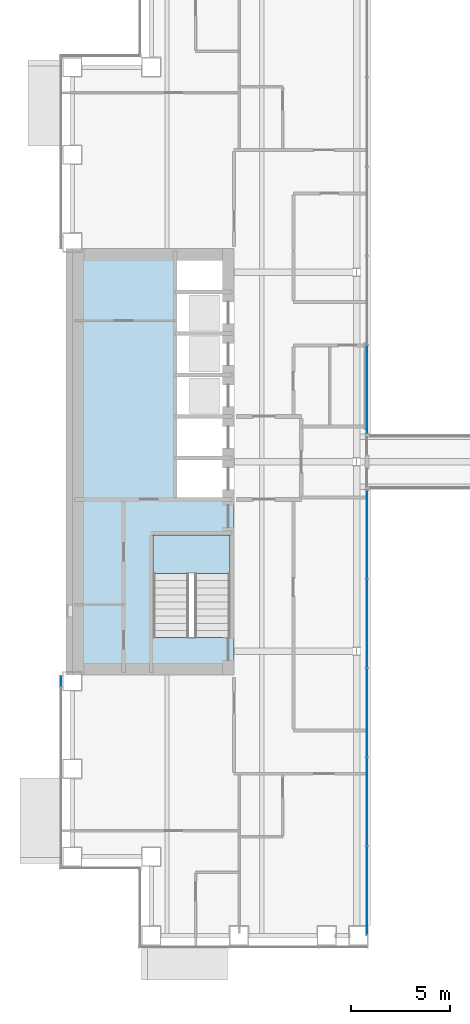
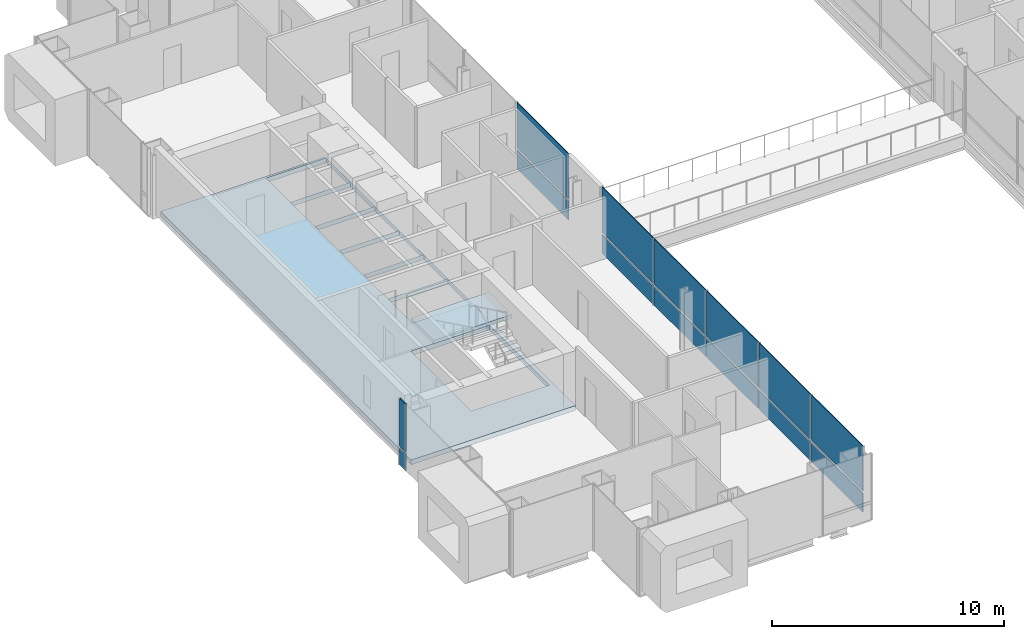
# One storey, part 9 of 21: 14 plates, 2 slabs, 4 elements without a shape of their own.
"""IFC4 building model written with IfcOpenShell, lengths in metres."""

from ifc_helpers import new_model, si_unit, direction, frame, origin, origin_2d, place, context, subcontext, project, spatial, polyline, rectangle, outline, extrude, material, layer, layer_set, type_object, element, aggregate, save


model = new_model("IFC4")

# Units and contexts
model_context = context("Model", 3, precision=1e-05, world=origin(), true_north=direction((0.0, 1.0)))
body_context = subcontext(model_context, "Body", "Model", "MODEL_VIEW")
ifc_project = project(units=[si_unit("LENGTHUNIT", "METRE"), si_unit("AREAUNIT", "SQUARE_METRE"), si_unit("VOLUMEUNIT", "CUBIC_METRE"), si_unit("PLANEANGLEUNIT", "RADIAN"), si_unit("MASSUNIT", "GRAM", prefix="KILO")], contexts=[model_context])

# Site, building, storey
site_placement = place(None, origin())
site = spatial("IfcSite", under=ifc_project, at=site_placement, CompositionType="ELEMENT")
building_placement = place(site_placement, origin())
building = spatial("IfcBuilding", under=site, at=building_placement, Name="Cobrizo Arcos Hotel Tower", CompositionType="ELEMENT")
storey_placement = place(building_placement, frame((0.0, 0.0, 81.0)))
storey = spatial("IfcBuildingStorey", under=building, at=storey_placement, Name="L19", CompositionType="ELEMENT", Elevation=81.0)

# Curtain wall, plates
ifc_material_1 = material(Name="Aluminium 6063-T6 anodised bronze", Category="aluminium")
curtain_wall_type_1 = type_object("IfcCurtainWallType", Name="CW-A guest facade", PredefinedType="NOTDEFINED", material=ifc_material_1)
curtain_wall_1_placement = place(storey_placement, origin())
curtain_wall_1 = element("IfcCurtainWall", 1, at=curtain_wall_1_placement, inside=storey, type_object=curtain_wall_type_1, Name="CW-A L19 W face", PredefinedType="NOTDEFINED")
ifc_material_2 = material(Name="Glass clear laminated low-e", Category="glass")
ifc_layer_1 = layer(ifc_material_2, 0.0400390625)
ifc_layer_set_1 = layer_set([ifc_layer_1], Name="CW-A glass panel")
plate_type_1 = type_object("IfcPlateType", Name="CW-A glass panel", PredefinedType="CURTAIN_PANEL", material=ifc_layer_set_1)
plate_1_placement = place(storey_placement, frame((-24.574951171875, -11.109375, 0.990234375), z_axis=(0.0, 0.0, 1.0), x_axis=(0.0, -1.0, 0.0)))
plate_1 = element("IfcPlate", 2, at=plate_1_placement, type_object=plate_type_1, Name="CW-A glass panel 808", PredefinedType="CURTAIN_PANEL", context=body_context, shape_type="SweptSolid", body=[
    extrude(rectangle(XDim=0.498779296875, YDim=0.0400390625, at=origin_2d()), origin(), (0.0, 0.0, 1.0), 2.510009765625),
])
ifc_material_3 = material(Name="Aluminium composite panel pale metal", Category="aluminium")
ifc_layer_2 = layer(ifc_material_3, 0.0400390625)
ifc_layer_set_2 = layer_set([ifc_layer_2], Name="CW-A spandrel panel")
plate_type_2 = type_object("IfcPlateType", Name="CW-A spandrel panel", PredefinedType="CURTAIN_PANEL", material=ifc_layer_set_2)
plate_2_placement = place(storey_placement, frame((-24.574951171875, -11.109375, 0.0), z_axis=(0.0, 0.0, 1.0), x_axis=(0.0, -1.0, 0.0)))
plate_2 = element("IfcPlate", 3, at=plate_2_placement, type_object=plate_type_2, Name="CW-A spandrel panel 808", PredefinedType="CURTAIN_PANEL", context=body_context, shape_type="SweptSolid", body=[
    extrude(rectangle(XDim=0.498779296875, YDim=0.0400390625, at=origin_2d()), origin(), (0.0, 0.0, 1.0), 0.8701171875),
])
aggregate(curtain_wall_1, [plate_2, plate_1])

curtain_wall_type_2 = type_object("IfcCurtainWallType", Name="CW-F void screen", PredefinedType="NOTDEFINED", material=ifc_material_1)
curtain_wall_2_placement = place(storey_placement, origin())
curtain_wall_2 = element("IfcCurtainWall", 4, at=curtain_wall_2_placement, inside=storey, type_object=curtain_wall_type_2, Name="CW-F L19 void screen A", PredefinedType="NOTDEFINED")
ifc_layer_3 = layer(ifc_material_2, 0.0400390625)
ifc_layer_set_3 = layer_set([ifc_layer_3], Name="CW-F glass panel")
plate_type_3 = type_object("IfcPlateType", Name="CW-F glass panel", PredefinedType="CURTAIN_PANEL", material=ifc_layer_set_3)
plate_3_placement = place(storey_placement, frame((-9.074951171875, 3.675048828125, 0.0), z_axis=(0.0, 0.0, 1.0), x_axis=(0.0, -1.0, 0.0)))
plate_3 = element("IfcPlate", 5, at=plate_3_placement, type_object=plate_type_3, Name="CW-F glass panel 2562", PredefinedType="CURTAIN_PANEL", context=body_context, shape_type="SweptSolid", body=[
    extrude(rectangle(XDim=4.429931640625, YDim=0.0400390625, at=origin_2d()), origin(), (0.0, 0.0, 1.0), 0.989990234375),
])
plate_4_placement = place(storey_placement, frame((-9.074951171875, 3.675048828125, 1.10986328125), z_axis=(0.0, 0.0, 1.0), x_axis=(0.0, -1.0, 0.0)))
plate_4 = element("IfcPlate", 6, at=plate_4_placement, type_object=plate_type_3, Name="CW-F glass panel 2562", PredefinedType="CURTAIN_PANEL", context=body_context, shape_type="SweptSolid", body=[
    extrude(rectangle(XDim=4.429931640625, YDim=0.0400390625, at=origin_2d()), origin(), (0.0, 0.0, 1.0), 2.389892578125),
])
aggregate(curtain_wall_2, [plate_3, plate_4])

curtain_wall_3_placement = place(storey_placement, origin())
curtain_wall_3 = element("IfcCurtainWall", 7, at=curtain_wall_3_placement, inside=storey, type_object=curtain_wall_type_2, Name="CW-F L19 void screen A", PredefinedType="NOTDEFINED")
plate_5_placement = place(storey_placement, frame((-9.074951171875, -3.675048828125, 0.0), z_axis=(0.0, 0.0, 1.0), x_axis=(0.0, -1.0, 0.0)))
plate_5 = element("IfcPlate", 8, at=plate_5_placement, type_object=plate_type_3, Name="CW-F glass panel 2563", PredefinedType="CURTAIN_PANEL", context=body_context, shape_type="SweptSolid", body=[
    extrude(rectangle(XDim=4.429931640625, YDim=0.0400390625, at=origin_2d()), origin(), (0.0, 0.0, 1.0), 0.989990234375),
])
plate_6_placement = place(storey_placement, frame((-9.074951171875, -3.675048828125, 1.10986328125), z_axis=(0.0, 0.0, 1.0), x_axis=(0.0, -1.0, 0.0)))
plate_6 = element("IfcPlate", 9, at=plate_6_placement, type_object=plate_type_3, Name="CW-F glass panel 2563", PredefinedType="CURTAIN_PANEL", context=body_context, shape_type="SweptSolid", body=[
    extrude(rectangle(XDim=4.429931640625, YDim=0.0400390625, at=origin_2d()), origin(), (0.0, 0.0, 1.0), 2.389892578125),
])
plate_7_placement = place(storey_placement, frame((-9.074951171875, -8.179931640625, 0.0), z_axis=(0.0, 0.0, 1.0), x_axis=(0.0, -1.0, 0.0)))
plate_7 = element("IfcPlate", 10, at=plate_7_placement, type_object=plate_type_3, Name="CW-F glass panel 2564", PredefinedType="CURTAIN_PANEL", context=body_context, shape_type="SweptSolid", body=[
    extrude(rectangle(XDim=4.4599609375, YDim=0.0400390625, at=origin_2d()), origin(), (0.0, 0.0, 1.0), 0.989990234375),
])
plate_8_placement = place(storey_placement, frame((-9.074951171875, -8.179931640625, 1.10986328125), z_axis=(0.0, 0.0, 1.0), x_axis=(0.0, -1.0, 0.0)))
plate_8 = element("IfcPlate", 11, at=plate_8_placement, type_object=plate_type_3, Name="CW-F glass panel 2564", PredefinedType="CURTAIN_PANEL", context=body_context, shape_type="SweptSolid", body=[
    extrude(rectangle(XDim=4.4599609375, YDim=0.0400390625, at=origin_2d()), origin(), (0.0, 0.0, 1.0), 2.389892578125),
])
plate_9_placement = place(storey_placement, frame((-9.074951171875, -12.699951171875, 0.0), z_axis=(0.0, 0.0, 1.0), x_axis=(0.0, -1.0, 0.0)))
plate_9 = element("IfcPlate", 12, at=plate_9_placement, type_object=plate_type_3, Name="CW-F glass panel 2565", PredefinedType="CURTAIN_PANEL", context=body_context, shape_type="SweptSolid", body=[
    extrude(rectangle(XDim=4.4599609375, YDim=0.0400390625, at=origin_2d()), origin(), (0.0, 0.0, 1.0), 0.989990234375),
])
plate_10_placement = place(storey_placement, frame((-9.074951171875, -12.699951171875, 1.10986328125), z_axis=(0.0, 0.0, 1.0), x_axis=(0.0, -1.0, 0.0)))
plate_10 = element("IfcPlate", 13, at=plate_10_placement, type_object=plate_type_3, Name="CW-F glass panel 2565", PredefinedType="CURTAIN_PANEL", context=body_context, shape_type="SweptSolid", body=[
    extrude(rectangle(XDim=4.4599609375, YDim=0.0400390625, at=origin_2d()), origin(), (0.0, 0.0, 1.0), 2.389892578125),
])
plate_11_placement = place(storey_placement, frame((-9.074951171875, -17.219970703125, 0.0), z_axis=(0.0, 0.0, 1.0), x_axis=(0.0, -1.0, 0.0)))
plate_11 = element("IfcPlate", 14, at=plate_11_placement, type_object=plate_type_3, Name="CW-F glass panel 2566", PredefinedType="CURTAIN_PANEL", context=body_context, shape_type="SweptSolid", body=[
    extrude(rectangle(XDim=4.4599609375, YDim=0.0400390625, at=origin_2d()), origin(), (0.0, 0.0, 1.0), 0.989990234375),
])
plate_12_placement = place(storey_placement, frame((-9.074951171875, -17.219970703125, 1.10986328125), z_axis=(0.0, 0.0, 1.0), x_axis=(0.0, -1.0, 0.0)))
plate_12 = element("IfcPlate", 15, at=plate_12_placement, type_object=plate_type_3, Name="CW-F glass panel 2566", PredefinedType="CURTAIN_PANEL", context=body_context, shape_type="SweptSolid", body=[
    extrude(rectangle(XDim=4.4599609375, YDim=0.0400390625, at=origin_2d()), origin(), (0.0, 0.0, 1.0), 2.389892578125),
])
plate_13_placement = place(storey_placement, frame((-9.074951171875, -21.72509765625, 0.0), z_axis=(0.0, 0.0, 1.0), x_axis=(0.0, -1.0, 0.0)))
plate_13 = element("IfcPlate", 16, at=plate_13_placement, type_object=plate_type_3, Name="CW-F glass panel 2567", PredefinedType="CURTAIN_PANEL", context=body_context, shape_type="SweptSolid", body=[
    extrude(rectangle(XDim=4.429931640625, YDim=0.0400390625, at=origin_2d()), origin(), (0.0, 0.0, 1.0), 0.989990234375),
])
plate_14_placement = place(storey_placement, frame((-9.074951171875, -21.72509765625, 1.10986328125), z_axis=(0.0, 0.0, 1.0), x_axis=(0.0, -1.0, 0.0)))
plate_14 = element("IfcPlate", 17, at=plate_14_placement, type_object=plate_type_3, Name="CW-F glass panel 2567", PredefinedType="CURTAIN_PANEL", context=body_context, shape_type="SweptSolid", body=[
    extrude(rectangle(XDim=4.429931640625, YDim=0.0400390625, at=origin_2d()), origin(), (0.0, 0.0, 1.0), 2.389892578125),
])
aggregate(curtain_wall_3, [plate_5, plate_6, plate_7, plate_8, plate_9, plate_10, plate_11, plate_12, plate_13, plate_14])

# Slab
ifc_material_4 = material(Name="Concrete f'c 60 MPa", Category="concrete")
ifc_layer_4 = layer(ifc_material_4, 0.25)
ifc_layer_set_4 = layer_set([ifc_layer_4], Name="RC core floor slab 250 f'c 60")
slab_type_1 = type_object("IfcSlabType", Name="RC core floor slab 250 f'c 60", PredefinedType="FLOOR", material=ifc_layer_set_4)
slab_1_placement = place(storey_placement, frame((0.0, 0.0, -0.25)))
element("IfcSlab", 18, at=slab_1_placement, inside=storey, type_object=slab_type_1, Name="Core floor slab CS3, west core, L19", PredefinedType="FLOOR", context=body_context, shape_type="SweptSolid", body=[
    extrude(outline(polyline([(-24.0, 10.800048828125), (-15.800048828125, 10.800048828125), (-15.800048828125, -10.800048828125), (-24.0, -10.800048828125), (-24.0, 10.800048828125)]), holes=[polyline([(-19.89794921875, -3.701904296875), (-19.89794921875, -8.89794921875), (-16.001953125, -8.89794921875), (-16.001953125, -3.701904296875), (-19.89794921875, -3.701904296875)]), polyline([(-18.798095703125, 0.197998046875), (-18.798095703125, -1.89794921875), (-15.802001953125, -1.89794921875), (-15.802001953125, 0.197998046875), (-18.798095703125, 0.197998046875)]), polyline([(-15.802001953125, 2.298095703125), (-18.798095703125, 2.298095703125), (-18.798095703125, 0.201904296875), (-15.802001953125, 0.201904296875), (-15.802001953125, 2.298095703125)]), polyline([(-15.802001953125, 4.39794921875), (-18.798095703125, 4.39794921875), (-18.798095703125, 2.302001953125), (-15.802001953125, 2.302001953125), (-15.802001953125, 4.39794921875)]), polyline([(-18.798095703125, 6.498046875), (-18.798095703125, 4.402099609375), (-15.802001953125, 4.402099609375), (-15.802001953125, 6.498046875), (-18.798095703125, 6.498046875)]), polyline([(-15.802001953125, 8.597900390625), (-18.798095703125, 8.597900390625), (-18.798095703125, 6.501953125), (-15.802001953125, 6.501953125), (-15.802001953125, 8.597900390625)]), polyline([(-15.802001953125, 10.697998046875), (-18.798095703125, 10.697998046875), (-18.798095703125, 8.60205078125), (-15.802001953125, 8.60205078125), (-15.802001953125, 10.697998046875)])]), origin(), (0.0, 0.0, 1.0), 0.25),
])

# Stair, slab
ifc_material_5 = material(Name="Concrete f'c 40 MPa", Category="concrete")
stair_type = type_object("IfcStairType", Name="Exit stair", PredefinedType="HALF_TURN_STAIR", material=ifc_material_5)
stair_placement = place(storey_placement, origin())
stair = element("IfcStair", 19, at=stair_placement, inside=storey, type_object=stair_type, Name="L19 Exit stair ST-W", PredefinedType="HALF_TURN_STAIR")
ifc_layer_5 = layer(ifc_material_5, 0.199951171875)
ifc_layer_set_5 = layer_set([ifc_layer_5], Name="Stair landing")
slab_type_2 = type_object("IfcSlabType", Name="Stair landing", PredefinedType="LANDING", material=ifc_layer_set_5)
slab_2_placement = place(storey_placement, frame((0.0, 0.0, 1.550048828125)))
slab_2 = element("IfcSlab", 20, at=slab_2_placement, type_object=slab_type_2, Name="ST-W landing 1", PredefinedType="LANDING", context=body_context, shape_type="SweptSolid", body=[
    extrude(outline(polyline([(-16.0, -5.659912109375), (-16.0, -3.699951171875), (-19.89990234375, -3.699951171875), (-19.89990234375, -5.659912109375), (-16.0, -5.659912109375)])), origin(), (0.0, 0.0, 1.0), 0.199951171875),
])
aggregate(stair, [slab_2])

save(model, "model.ifc")
